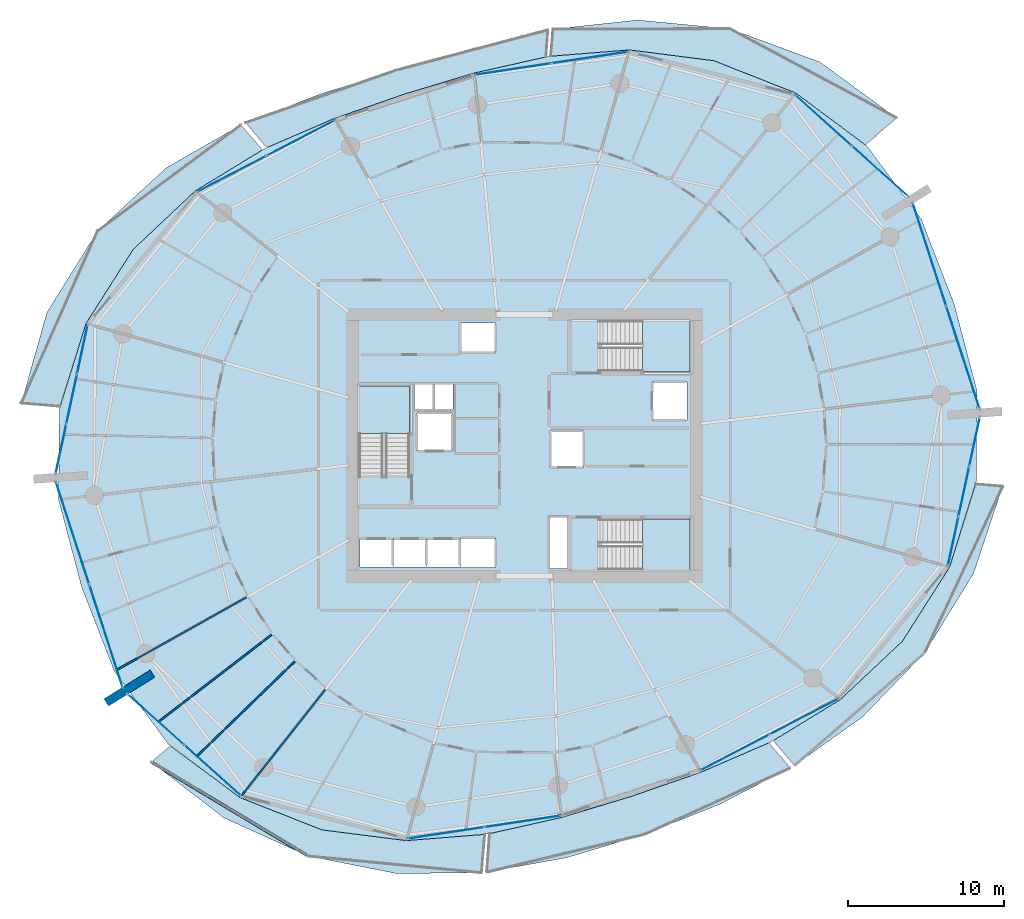
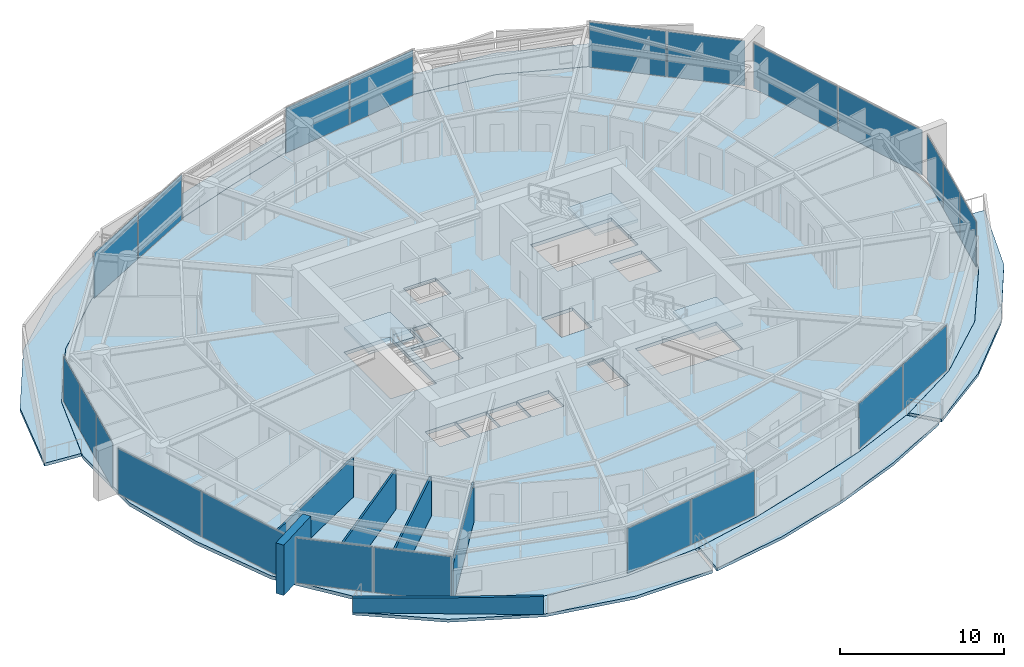
# One storey, part 10 of 23: 22 plates, 10 slabs, 6 walls, 13 elements without a shape of their own.
"""IFC4 building model written with IfcOpenShell, lengths in metres."""

from ifc_helpers import new_model, si_unit, direction, frame, frame_2d, origin, origin_2d, place, context, subcontext, project, spatial, polyline, rectangle, outline, extrude, material, layer, layer_set, type_object, element, aggregate, save


model = new_model("IFC4")

# Units and contexts
model_context = context("Model", 3, precision=1e-05, world=origin(), true_north=direction((0.0, 1.0)))
body_context = subcontext(model_context, "Body", "Model", "MODEL_VIEW")
ifc_project = project(units=[si_unit("LENGTHUNIT", "METRE"), si_unit("AREAUNIT", "SQUARE_METRE"), si_unit("VOLUMEUNIT", "CUBIC_METRE"), si_unit("PLANEANGLEUNIT", "RADIAN"), si_unit("MASSUNIT", "GRAM", prefix="KILO")], contexts=[model_context])

# Site, building, storey
site_placement = place(None, origin())
site = spatial("IfcSite", under=ifc_project, at=site_placement, CompositionType="ELEMENT")
building_placement = place(site_placement, origin())
building = spatial("IfcBuilding", under=site, at=building_placement, Name="Kazma Halo Residences", CompositionType="ELEMENT")
storey_placement = place(building_placement, frame((0.0, 0.0, 105.14990234375)))
storey = spatial("IfcBuildingStorey", under=building, at=storey_placement, Name="L26", CompositionType="ELEMENT", Elevation=105.14990234375)

# Curtain wall, plates
ifc_material_1 = material(Name="Aluminium AW-6063 T6 and Triple-Silver Low-E Glass", Category="aluminium")
ifc_layer_1 = layer(ifc_material_1, 0.199951171875)
ifc_layer_set_1 = layer_set([ifc_layer_1], Name="Aluminium AW-6063 T6 and Triple-Silver Low-E Glass")
curtain_wall_type = type_object("IfcCurtainWallType", Name="CW-SYS-3", PredefinedType="NOTDEFINED", material=ifc_layer_set_1)
curtain_wall_1_placement = place(storey_placement, origin())
curtain_wall_1 = element("IfcCurtainWall", 1, at=curtain_wall_1_placement, inside=storey, type_object=curtain_wall_type, Name="L26 unitised curtain wall B01", PredefinedType="NOTDEFINED")
ifc_material_2 = material(Name="Clear Triple-Silver Low-E Glass IGU", Category="glass")
ifc_layer_2 = layer(ifc_material_2, 0.030029296875)
ifc_layer_set_2 = layer_set([ifc_layer_2], Name="Clear Triple-Silver Low-E Glass IGU")
plate_type = type_object("IfcPlateType", Name="CW-SYS-3-PNL", PredefinedType="CURTAIN_PANEL", material=ifc_layer_set_2)
plate_1_placement = place(storey_placement, frame((71.251220703125, 59.614013671875, 0.06982421875), z_axis=(0.0, 0.0, 1.0), x_axis=(-0.744345279359, 0.667794957375, 0.0)))
plate_1 = element("IfcPlate", 2, at=plate_1_placement, type_object=plate_type, Name="CWS-3 panel 1.1", PredefinedType="CURTAIN_PANEL", context=body_context, shape_type="SweptSolid", body=[
    extrude(rectangle(XDim=4.81982421875, YDim=0.030029296875, at=origin_2d()), origin(), (0.0, 0.0, 1.0), 3.360107421875),
])
plate_2_placement = place(storey_placement, frame((67.611572265625, 62.87939453125, 0.06982421875), z_axis=(0.0, 0.0, 1.0), x_axis=(-0.744345279359, 0.667794957375, 0.0)))
plate_2 = element("IfcPlate", 3, at=plate_2_placement, type_object=plate_type, Name="CWS-3 panel 2.1", PredefinedType="CURTAIN_PANEL", context=body_context, shape_type="SweptSolid", body=[
    extrude(rectangle(XDim=4.81982421875, YDim=0.030029296875, at=origin_2d()), origin(), (0.0, 0.0, 1.0), 3.360107421875),
])
aggregate(curtain_wall_1, [plate_1, plate_2])

curtain_wall_2_placement = place(storey_placement, origin())
curtain_wall_2 = element("IfcCurtainWall", 4, at=curtain_wall_2_placement, inside=storey, type_object=curtain_wall_type, Name="L26 unitised curtain wall B03", PredefinedType="NOTDEFINED")
plate_3_placement = place(storey_placement, frame((52.625732421875, 66.900390625, 0.06982421875), z_axis=(0.0, 0.0, 1.0), x_axis=(-0.988879747814, -0.148717330409, 0.0)))
plate_3 = element("IfcPlate", 5, at=plate_3_placement, type_object=plate_type, Name="CWS-3 panel 1.1", PredefinedType="CURTAIN_PANEL", context=body_context, shape_type="SweptSolid", body=[
    extrude(rectangle(XDim=4.922607421875, YDim=0.030029296875, at=origin_2d()), origin(), (0.0, 0.0, 1.0), 3.360107421875),
])
plate_4_placement = place(storey_placement, frame((47.6884765625, 66.157958984375, 0.06982421875), z_axis=(0.0, 0.0, 1.0), x_axis=(-0.988879747814, -0.148717330409, 0.0)))
plate_4 = element("IfcPlate", 6, at=plate_4_placement, type_object=plate_type, Name="CWS-3 panel 2.1", PredefinedType="CURTAIN_PANEL", context=body_context, shape_type="SweptSolid", body=[
    extrude(rectangle(XDim=4.922607421875, YDim=0.030029296875, at=origin_2d()), origin(), (0.0, 0.0, 1.0), 3.360107421875),
])
aggregate(curtain_wall_2, [plate_3, plate_4])

curtain_wall_3_placement = place(storey_placement, origin())
curtain_wall_3 = element("IfcCurtainWall", 7, at=curtain_wall_3_placement, inside=storey, type_object=curtain_wall_type, Name="L26 unitised curtain wall B05", PredefinedType="NOTDEFINED")
plate_5_placement = place(storey_placement, frame((34.052490234375, 61.727294921875, 0.06982421875), z_axis=(0.0, 0.0, 1.0), x_axis=(-0.887435374749, -0.460932159481, 0.0)))
plate_5 = element("IfcPlate", 8, at=plate_5_placement, type_object=plate_type, Name="CWS-3 panel 1.1", PredefinedType="CURTAIN_PANEL", context=body_context, shape_type="SweptSolid", body=[
    extrude(rectangle(XDim=4.9228515625, YDim=0.030029296875, at=origin_2d()), origin(), (0.0, 0.0, 1.0), 3.360107421875),
])
plate_6_placement = place(storey_placement, frame((29.62158203125, 59.426025390625, 0.06982421875), z_axis=(0.0, 0.0, 1.0), x_axis=(-0.887435374749, -0.460932159481, 0.0)))
plate_6 = element("IfcPlate", 9, at=plate_6_placement, type_object=plate_type, Name="CWS-3 panel 2.1", PredefinedType="CURTAIN_PANEL", context=body_context, shape_type="SweptSolid", body=[
    extrude(rectangle(XDim=4.9228515625, YDim=0.030029296875, at=origin_2d()), origin(), (0.0, 0.0, 1.0), 3.360107421875),
])
aggregate(curtain_wall_3, [plate_5, plate_6])

curtain_wall_4_placement = place(storey_placement, origin())
curtain_wall_4 = element("IfcCurtainWall", 10, at=curtain_wall_4_placement, inside=storey, type_object=curtain_wall_type, Name="L26 unitised curtain wall B07", PredefinedType="NOTDEFINED")
plate_7_placement = place(storey_placement, frame((20.033447265625, 48.1669921875, 0.06982421875), z_axis=(0.0, 0.0, 1.0), x_axis=(-0.209660822677, -0.977774176093, 0.0)))
plate_7 = element("IfcPlate", 11, at=plate_7_placement, type_object=plate_type, Name="CWS-3 panel 1.1", PredefinedType="CURTAIN_PANEL", context=body_context, shape_type="SweptSolid", body=[
    extrude(rectangle(XDim=3.17822265625, YDim=0.030029296875, at=origin_2d()), origin(), (0.0, 0.0, 1.0), 3.360107421875),
])
plate_8_placement = place(storey_placement, frame((19.3486328125, 44.973876953125, 0.06982421875), z_axis=(0.0, 0.0, 1.0), x_axis=(-0.209660822677, -0.977774176093, 0.0)))
plate_8 = element("IfcPlate", 12, at=plate_8_placement, type_object=plate_type, Name="CWS-3 panel 2.1", PredefinedType="CURTAIN_PANEL", context=body_context, shape_type="SweptSolid", body=[
    extrude(rectangle(XDim=3.213134765625, YDim=0.030029296875, at=origin_2d()), origin(), (0.0, 0.0, 1.0), 3.360107421875),
])
plate_9_placement = place(storey_placement, frame((18.6640625, 41.78076171875, 0.06982421875), z_axis=(0.0, 0.0, 1.0), x_axis=(-0.209660822677, -0.977774176093, 0.0)))
plate_9 = element("IfcPlate", 13, at=plate_9_placement, type_object=plate_type, Name="CWS-3 panel 3.1", PredefinedType="CURTAIN_PANEL", context=body_context, shape_type="SweptSolid", body=[
    extrude(rectangle(XDim=3.17822265625, YDim=0.030029296875, at=origin_2d()), origin(), (0.0, 0.0, 1.0), 3.360107421875),
])
aggregate(curtain_wall_4, [plate_7, plate_8, plate_9])

curtain_wall_5_placement = place(storey_placement, origin())
curtain_wall_5 = element("IfcCurtainWall", 14, at=curtain_wall_5_placement, inside=storey, type_object=curtain_wall_type, Name="L26 unitised curtain wall B08", PredefinedType="NOTDEFINED")
plate_10_placement = place(storey_placement, frame((19.40673828125, 36.357421875, 0.06982421875), z_axis=(0.0, 0.0, 1.0), x_axis=(0.309013282008, -0.951057722508, 0.0)))
plate_10 = element("IfcPlate", 15, at=plate_10_placement, type_object=plate_type, Name="CWS-3 panel 1.1", PredefinedType="CURTAIN_PANEL", context=body_context, shape_type="SweptSolid", body=[
    extrude(rectangle(XDim=6.868896484375, YDim=0.030029296875, at=origin_2d()), origin(), (0.0, 0.0, 1.0), 3.360107421875),
])
plate_11_placement = place(storey_placement, frame((21.551025390625, 29.758056640625, 0.06982421875), z_axis=(0.0, 0.0, 1.0), x_axis=(0.309013282008, -0.951057722508, 0.0)))
plate_11 = element("IfcPlate", 16, at=plate_11_placement, type_object=plate_type, Name="CWS-3 panel 2.1", PredefinedType="CURTAIN_PANEL", context=body_context, shape_type="SweptSolid", body=[
    extrude(rectangle(XDim=6.868896484375, YDim=0.030029296875, at=origin_2d()), origin(), (0.0, 0.0, 1.0), 3.360107421875),
])
aggregate(curtain_wall_5, [plate_10, plate_11])

curtain_wall_6_placement = place(storey_placement, origin())
curtain_wall_6 = element("IfcCurtainWall", 17, at=curtain_wall_6_placement, inside=storey, type_object=curtain_wall_type, Name="L26 unitised curtain wall B09", PredefinedType="NOTDEFINED")
plate_12_placement = place(storey_placement, frame((24.748779296875, 24.385986328125, 0.06982421875), z_axis=(0.0, 0.0, 1.0), x_axis=(0.744345279359, -0.667794957375, 0.0)))
plate_12 = element("IfcPlate", 18, at=plate_12_placement, type_object=plate_type, Name="CWS-3 panel 1.1", PredefinedType="CURTAIN_PANEL", context=body_context, shape_type="SweptSolid", body=[
    extrude(rectangle(XDim=4.81982421875, YDim=0.030029296875, at=origin_2d()), origin(), (0.0, 0.0, 1.0), 3.360107421875),
])
plate_13_placement = place(storey_placement, frame((28.388427734375, 21.12060546875, 0.06982421875), z_axis=(0.0, 0.0, 1.0), x_axis=(0.744345279359, -0.667794957375, 0.0)))
plate_13 = element("IfcPlate", 19, at=plate_13_placement, type_object=plate_type, Name="CWS-3 panel 2.1", PredefinedType="CURTAIN_PANEL", context=body_context, shape_type="SweptSolid", body=[
    extrude(rectangle(XDim=4.81982421875, YDim=0.030029296875, at=origin_2d()), origin(), (0.0, 0.0, 1.0), 3.360107421875),
])
aggregate(curtain_wall_6, [plate_12, plate_13])

curtain_wall_7_placement = place(storey_placement, origin())
curtain_wall_7 = element("IfcCurtainWall", 20, at=curtain_wall_7_placement, inside=storey, type_object=curtain_wall_type, Name="L26 unitised curtain wall B11", PredefinedType="NOTDEFINED")
plate_14_placement = place(storey_placement, frame((43.374267578125, 17.099609375, 0.06982421875), z_axis=(0.0, 0.0, 1.0), x_axis=(0.988879747814, 0.148717330409, 0.0)))
plate_14 = element("IfcPlate", 21, at=plate_14_placement, type_object=plate_type, Name="CWS-3 panel 1.1", PredefinedType="CURTAIN_PANEL", context=body_context, shape_type="SweptSolid", body=[
    extrude(rectangle(XDim=4.922607421875, YDim=0.030029296875, at=origin_2d()), origin(), (0.0, 0.0, 1.0), 3.360107421875),
])
plate_15_placement = place(storey_placement, frame((48.3115234375, 17.842041015625, 0.06982421875), z_axis=(0.0, 0.0, 1.0), x_axis=(0.988879747814, 0.148717330409, 0.0)))
plate_15 = element("IfcPlate", 22, at=plate_15_placement, type_object=plate_type, Name="CWS-3 panel 2.1", PredefinedType="CURTAIN_PANEL", context=body_context, shape_type="SweptSolid", body=[
    extrude(rectangle(XDim=4.922607421875, YDim=0.030029296875, at=origin_2d()), origin(), (0.0, 0.0, 1.0), 3.360107421875),
])
aggregate(curtain_wall_7, [plate_14, plate_15])

curtain_wall_8_placement = place(storey_placement, origin())
curtain_wall_8 = element("IfcCurtainWall", 23, at=curtain_wall_8_placement, inside=storey, type_object=curtain_wall_type, Name="L26 unitised curtain wall B13", PredefinedType="NOTDEFINED")
plate_16_placement = place(storey_placement, frame((61.947509765625, 22.272705078125, 0.06982421875), z_axis=(0.0, 0.0, 1.0), x_axis=(0.887435374749, 0.460932159481, 0.0)))
plate_16 = element("IfcPlate", 24, at=plate_16_placement, type_object=plate_type, Name="CWS-3 panel 1.1", PredefinedType="CURTAIN_PANEL", context=body_context, shape_type="SweptSolid", body=[
    extrude(rectangle(XDim=4.9228515625, YDim=0.030029296875, at=origin_2d()), origin(), (0.0, 0.0, 1.0), 3.360107421875),
])
plate_17_placement = place(storey_placement, frame((66.37841796875, 24.573974609375, 0.06982421875), z_axis=(0.0, 0.0, 1.0), x_axis=(0.887435374749, 0.460932159481, 0.0)))
plate_17 = element("IfcPlate", 25, at=plate_17_placement, type_object=plate_type, Name="CWS-3 panel 2.1", PredefinedType="CURTAIN_PANEL", context=body_context, shape_type="SweptSolid", body=[
    extrude(rectangle(XDim=4.9228515625, YDim=0.030029296875, at=origin_2d()), origin(), (0.0, 0.0, 1.0), 3.360107421875),
])
aggregate(curtain_wall_8, [plate_16, plate_17])

curtain_wall_9_placement = place(storey_placement, origin())
curtain_wall_9 = element("IfcCurtainWall", 26, at=curtain_wall_9_placement, inside=storey, type_object=curtain_wall_type, Name="L26 unitised curtain wall B15", PredefinedType="NOTDEFINED")
plate_18_placement = place(storey_placement, frame((75.966552734375, 35.8330078125, 0.06982421875), z_axis=(0.0, 0.0, 1.0), x_axis=(0.209660822677, 0.977774176093, 0.0)))
plate_18 = element("IfcPlate", 27, at=plate_18_placement, type_object=plate_type, Name="CWS-3 panel 1.1", PredefinedType="CURTAIN_PANEL", context=body_context, shape_type="SweptSolid", body=[
    extrude(rectangle(XDim=3.17822265625, YDim=0.030029296875, at=origin_2d()), origin(), (0.0, 0.0, 1.0), 3.360107421875),
])
plate_19_placement = place(storey_placement, frame((76.6513671875, 39.026123046875, 0.06982421875), z_axis=(0.0, 0.0, 1.0), x_axis=(0.209660822677, 0.977774176093, 0.0)))
plate_19 = element("IfcPlate", 28, at=plate_19_placement, type_object=plate_type, Name="CWS-3 panel 2.1", PredefinedType="CURTAIN_PANEL", context=body_context, shape_type="SweptSolid", body=[
    extrude(rectangle(XDim=3.213134765625, YDim=0.030029296875, at=origin_2d()), origin(), (0.0, 0.0, 1.0), 3.360107421875),
])
plate_20_placement = place(storey_placement, frame((77.3359375, 42.21923828125, 0.06982421875), z_axis=(0.0, 0.0, 1.0), x_axis=(0.209660822677, 0.977774176093, 0.0)))
plate_20 = element("IfcPlate", 29, at=plate_20_placement, type_object=plate_type, Name="CWS-3 panel 3.1", PredefinedType="CURTAIN_PANEL", context=body_context, shape_type="SweptSolid", body=[
    extrude(rectangle(XDim=3.17822265625, YDim=0.030029296875, at=origin_2d()), origin(), (0.0, 0.0, 1.0), 3.360107421875),
])
aggregate(curtain_wall_9, [plate_18, plate_19, plate_20])

curtain_wall_10_placement = place(storey_placement, origin())
curtain_wall_10 = element("IfcCurtainWall", 30, at=curtain_wall_10_placement, inside=storey, type_object=curtain_wall_type, Name="L26 unitised curtain wall B16", PredefinedType="NOTDEFINED")
plate_21_placement = place(storey_placement, frame((76.59326171875, 47.642578125, 0.06982421875), z_axis=(0.0, 0.0, 1.0), x_axis=(-0.309013282008, 0.951057722508, 0.0)))
plate_21 = element("IfcPlate", 31, at=plate_21_placement, type_object=plate_type, Name="CWS-3 panel 1.1", PredefinedType="CURTAIN_PANEL", context=body_context, shape_type="SweptSolid", body=[
    extrude(rectangle(XDim=6.868896484375, YDim=0.030029296875, at=origin_2d()), origin(), (0.0, 0.0, 1.0), 3.360107421875),
])
plate_22_placement = place(storey_placement, frame((74.448974609375, 54.241943359375, 0.06982421875), z_axis=(0.0, 0.0, 1.0), x_axis=(-0.309013282008, 0.951057722508, 0.0)))
plate_22 = element("IfcPlate", 32, at=plate_22_placement, type_object=plate_type, Name="CWS-3 panel 2.1", PredefinedType="CURTAIN_PANEL", context=body_context, shape_type="SweptSolid", body=[
    extrude(rectangle(XDim=6.868896484375, YDim=0.030029296875, at=origin_2d()), origin(), (0.0, 0.0, 1.0), 3.360107421875),
])
aggregate(curtain_wall_10, [plate_21, plate_22])

# Slabs
ifc_material_3 = material(Name="White Concrete C50/60", Category="concrete")
ifc_layer_3 = layer(ifc_material_3, 0.219970703125)
ifc_layer_set_3 = layer_set([ifc_layer_3], Name="White Concrete C50/60")
slab_type_1 = type_object("IfcSlabType", Name="SLB-BAL-WAVE-210", PredefinedType="FLOOR", material=ifc_layer_set_3)
slab_1_placement = place(storey_placement, frame((0.0, 0.0, -0.219970703125)))
element("IfcSlab", 33, at=slab_1_placement, inside=storey, type_object=slab_type_1, Name="L26 NE cantilevered wave balcony slab", PredefinedType="FLOOR", context=body_context, shape_type="SweptSolid", body=[
    extrude(outline(polyline([(70.323974609375, 61.303466796875), (65.841064453125, 64.63134765625), (60.5869140625, 66.702880859375), (55.161865234375, 67.394287109375), (50.12060546875, 66.992431640625), (50.2685546875, 68.735107421875), (55.703857421875, 69.31591796875), (61.629638671875, 68.74951171875), (67.40771484375, 66.618408203125), (72.32080078125, 63.0302734375), (70.323974609375, 61.303466796875)])), origin(), (0.0, 0.0, 1.0), 0.219970703125),
])
slab_2_placement = place(storey_placement, frame((0.0, 0.0, -0.219970703125)))
element("IfcSlab", 34, at=slab_2_placement, inside=storey, type_object=slab_type_1, Name="L26 NNW cantilevered wave balcony slab", PredefinedType="FLOOR", context=body_context, shape_type="SweptSolid", body=[
    extrude(outline(polyline([(49.81005859375, 66.94580078125), (45.1708984375, 65.902587890625), (40.675048828125, 64.544189453125), (36.239013671875, 63.00048828125), (31.872802734375, 61.11767578125), (30.521728515625, 62.719482421875), (35.355224609375, 64.5791015625), (40.175048828125, 66.08251953125), (44.984375, 67.4794921875), (49.935302734375, 68.672119140625), (49.81005859375, 66.94580078125)])), origin(), (0.0, 0.0, 1.0), 0.219970703125),
])
slab_3_placement = place(storey_placement, frame((0.0, 0.0, -0.219970703125)))
element("IfcSlab", 35, at=slab_3_placement, inside=storey, type_object=slab_type_1, Name="L26 NW cantilevered wave balcony slab", PredefinedType="FLOOR", context=body_context, shape_type="SweptSolid", body=[
    extrude(outline(polyline([(31.59423828125, 60.972900390625), (27.279541015625, 58.334716796875), (23.297119140625, 54.5869140625), (20.263916015625, 49.822509765625), (18.59326171875, 44.4951171875), (16.107666015625, 44.7060546875), (17.75390625, 50.5302734375), (20.999755859375, 55.75732421875), (25.405029296875, 59.8125), (30.2080078125, 62.575927734375), (31.59423828125, 60.972900390625)])), origin(), (0.0, 0.0, 1.0), 0.219970703125),
])
slab_4_placement = place(storey_placement, frame((0.0, 0.0, -0.219970703125)))
element("IfcSlab", 36, at=slab_4_placement, inside=storey, type_object=slab_type_1, Name="L26 SW cantilevered wave balcony slab", PredefinedType="FLOOR", context=body_context, shape_type="SweptSolid", body=[
    extrude(outline(polyline([(25.676025390625, 22.696533203125), (30.158935546875, 19.36865234375), (35.4130859375, 17.297119140625), (40.838134765625, 16.605712890625), (45.87939453125, 17.007568359375), (45.67041015625, 14.545654296875), (40.240966796875, 14.48876953125), (34.551025390625, 15.60498046875), (29.127685546875, 18.060546875), (24.465576171875, 21.64990234375), (25.676025390625, 22.696533203125)])), origin(), (0.0, 0.0, 1.0), 0.219970703125),
])
slab_5_placement = place(storey_placement, frame((0.0, 0.0, -0.219970703125)))
element("IfcSlab", 37, at=slab_5_placement, inside=storey, type_object=slab_type_1, Name="L26 SSE cantilevered wave balcony slab", PredefinedType="FLOOR", context=body_context, shape_type="SweptSolid", body=[
    extrude(outline(polyline([(46.18994140625, 17.05419921875), (50.8291015625, 18.097412109375), (55.324951171875, 19.455810546875), (59.760986328125, 20.99951171875), (64.127197265625, 22.88232421875), (65.490478515625, 21.26611328125), (60.927001953125, 18.9169921875), (56.121826171875, 17.003662109375), (51.135498046875, 15.50732421875), (46.010498046875, 14.581298828125), (46.18994140625, 17.05419921875)])), origin(), (0.0, 0.0, 1.0), 0.219970703125),
])
slab_6_placement = place(storey_placement, frame((0.0, 0.0, -0.219970703125)))
element("IfcSlab", 38, at=slab_6_placement, inside=storey, type_object=slab_type_1, Name="L26 SE cantilevered wave balcony slab", PredefinedType="FLOOR", context=body_context, shape_type="SweptSolid", body=[
    extrude(outline(polyline([(64.40576171875, 23.027099609375), (68.720458984375, 25.665283203125), (72.702880859375, 29.4130859375), (75.736083984375, 34.177490234375), (77.40673828125, 39.5048828125), (79.146240234375, 39.357177734375), (77.264404296875, 33.74658203125), (74.144287109375, 28.678955078125), (70.141357421875, 24.545166015625), (65.779541015625, 21.4384765625), (64.40576171875, 23.027099609375)])), origin(), (0.0, 0.0, 1.0), 0.219970703125),
])
ifc_material_4 = material(Name="Concrete C50/60", Category="concrete")
ifc_layer_4 = layer(ifc_material_4, 0.25)
ifc_layer_set_4 = layer_set([ifc_layer_4], Name="Concrete C50/60")
slab_type_2 = type_object("IfcSlabType", Name="SLB-RES-250", PredefinedType="FLOOR", material=ifc_layer_set_4)
slab_7_placement = place(storey_placement, frame((0.0, 0.0, -0.25)))
element("IfcSlab", 39, at=slab_7_placement, inside=storey, type_object=slab_type_2, Name="L26 structural floor slab", PredefinedType="FLOOR", context=body_context, shape_type="SweptSolid", body=[
    extrude(outline(polyline([(76.02001953125, 51.104248046875), (73.918212890625, 56.514892578125), (70.459716796875, 61.182373046875), (65.83984375, 64.629638671875), (60.5859375, 66.701171875), (55.161376953125, 67.392333984375), (49.9658203125, 66.976806640625), (45.171142578125, 65.900634765625), (40.675537109375, 64.542236328125), (36.239990234375, 62.998779296875), (31.728759765625, 61.05126953125), (27.281005859375, 58.33349609375), (23.298828125, 54.5859375), (20.265869140625, 49.82177734375), (18.554443359375, 44.3173828125), (18.500244140625, 38.508544921875), (19.97998046875, 32.895751953125), (22.081787109375, 27.485107421875), (25.540283203125, 22.817626953125), (30.16015625, 19.370361328125), (35.4140625, 17.298828125), (40.838623046875, 16.607666015625), (46.0341796875, 17.023193359375), (50.828857421875, 18.099365234375), (55.324462890625, 19.457763671875), (59.760009765625, 21.001220703125), (64.271240234375, 22.94873046875), (68.718994140625, 25.66650390625), (72.701171875, 29.4140625), (75.734130859375, 34.17822265625), (77.445556640625, 39.6826171875), (77.499755859375, 45.491455078125), (76.02001953125, 51.104248046875)]), holes=[polyline([(37.800048828125, 40.110107421875), (41.050048828125, 40.110107421875), (41.050048828125, 45.800048828125), (37.800048828125, 45.800048828125), (37.800048828125, 40.110107421875)]), polyline([(53.360107421875, 46.75), (59.050048828125, 46.75), (59.050048828125, 50.0), (53.360107421875, 50.0), (53.360107421875, 46.75)]), polyline([(53.360107421875, 34.0), (59.050048828125, 34.0), (59.050048828125, 37.25), (53.360107421875, 37.25), (53.360107421875, 34.0)]), polyline([(41.52001953125, 41.6201171875), (43.780029296875, 41.6201171875), (43.780029296875, 44.080078125), (41.52001953125, 44.080078125), (41.52001953125, 41.6201171875)]), polyline([(56.6201171875, 43.6201171875), (58.8798828125, 43.6201171875), (58.8798828125, 46.080078125), (56.6201171875, 46.080078125), (56.6201171875, 43.6201171875)]), polyline([(37.864990234375, 34.195068359375), (39.97509765625, 34.195068359375), (39.97509765625, 36.0048828125), (37.864990234375, 36.0048828125), (37.864990234375, 34.195068359375)]), polyline([(40.014892578125, 34.195068359375), (42.125, 34.195068359375), (42.125, 36.0048828125), (40.014892578125, 36.0048828125), (40.014892578125, 34.195068359375)]), polyline([(42.1650390625, 34.195068359375), (44.27490234375, 34.195068359375), (44.27490234375, 36.0048828125), (42.1650390625, 36.0048828125), (42.1650390625, 34.195068359375)]), polyline([(44.320068359375, 47.945068359375), (46.580078125, 47.945068359375), (46.580078125, 49.85498046875), (44.320068359375, 49.85498046875), (44.320068359375, 47.945068359375)]), polyline([(44.320068359375, 34.14501953125), (46.580078125, 34.14501953125), (46.580078125, 36.054931640625), (44.320068359375, 36.054931640625), (44.320068359375, 34.14501953125)]), polyline([(50.070068359375, 40.570068359375), (52.22998046875, 40.570068359375), (52.22998046875, 42.929931640625), (50.070068359375, 42.929931640625), (50.070068359375, 40.570068359375)]), polyline([(41.360107421875, 44.340087890625), (42.5400390625, 44.340087890625), (42.5400390625, 45.89990234375), (41.360107421875, 45.89990234375), (41.360107421875, 44.340087890625)]), polyline([(42.659912109375, 44.340087890625), (43.840087890625, 44.340087890625), (43.840087890625, 45.89990234375), (42.659912109375, 45.89990234375), (42.659912109375, 44.340087890625)]), polyline([(50.06005859375, 34.080078125), (51.159912109375, 34.080078125), (51.159912109375, 37.3798828125), (50.06005859375, 37.3798828125), (50.06005859375, 34.080078125)])]), origin(), (0.0, 0.0, 1.0), 0.25),
])

# Stair, slab
stair_type = type_object("IfcStairType", Name="STR-RES1", PredefinedType="HALF_TURN_STAIR", material=ifc_material_4)
stair_1_placement = place(storey_placement, origin())
stair_1 = element("IfcStair", 40, at=stair_1_placement, inside=storey, type_object=stair_type, Name="L26 Core exit stair ST-01", PredefinedType="HALF_TURN_STAIR")
ifc_layer_5 = layer(ifc_material_4, 0.199951171875)
ifc_layer_set_5 = layer_set([ifc_layer_5], Name="Concrete C50/60")
slab_type_3 = type_object("IfcSlabType", Name="SLB-STAIR-LND-200", PredefinedType="LANDING", material=ifc_layer_set_5)
slab_8_placement = place(storey_placement, frame((0.0, 0.0, 1.675048828125)))
slab_8 = element("IfcSlab", 41, at=slab_8_placement, type_object=slab_type_3, Name="ST-01 landing 1", PredefinedType="LANDING", context=body_context, shape_type="SweptSolid", body=[
    extrude(outline(polyline([(41.050048828125, 42.75), (41.050048828125, 45.800048828125), (37.800048828125, 45.800048828125), (37.800048828125, 42.75), (41.050048828125, 42.75)])), origin(), (0.0, 0.0, 1.0), 0.199951171875),
])
aggregate(stair_1, [slab_8])

stair_2_placement = place(storey_placement, origin())
stair_2 = element("IfcStair", 42, at=stair_2_placement, inside=storey, type_object=stair_type, Name="L26 Core exit stair ST-02", PredefinedType="HALF_TURN_STAIR")
slab_9_placement = place(storey_placement, frame((0.0, 0.0, 1.675048828125)))
slab_9 = element("IfcSlab", 43, at=slab_9_placement, type_object=slab_type_3, Name="ST-02 landing 1", PredefinedType="LANDING", context=body_context, shape_type="SweptSolid", body=[
    extrude(outline(polyline([(56.0, 46.75), (59.050048828125, 46.75), (59.050048828125, 50.0), (56.0, 50.0), (56.0, 46.75)])), origin(), (0.0, 0.0, 1.0), 0.199951171875),
])
aggregate(stair_2, [slab_9])

stair_3_placement = place(storey_placement, origin())
stair_3 = element("IfcStair", 44, at=stair_3_placement, inside=storey, type_object=stair_type, Name="L26 Core exit stair ST-03", PredefinedType="HALF_TURN_STAIR")
slab_10_placement = place(storey_placement, frame((0.0, 0.0, 1.675048828125)))
slab_10 = element("IfcSlab", 45, at=slab_10_placement, type_object=slab_type_3, Name="ST-03 landing 1", PredefinedType="LANDING", context=body_context, shape_type="SweptSolid", body=[
    extrude(outline(polyline([(56.0, 34.0), (59.050048828125, 34.0), (59.050048828125, 37.25), (56.0, 37.25), (56.0, 34.0)])), origin(), (0.0, 0.0, 1.0), 0.199951171875),
])
aggregate(stair_3, [slab_10])

# Walls
ifc_material_5 = material(Name="White Concrete C50/60 Balustrade", Category="concrete")
ifc_layer_6 = layer(ifc_material_5, 0.179931640625)
ifc_layer_set_6 = layer_set([ifc_layer_6], Name="White Concrete C50/60 Balustrade")
wall_type_1 = type_object("IfcWallType", Name="WL-BAL-WAVE-180", PredefinedType="PARAPET", material=ifc_layer_set_6)
wall_1_placement = place(storey_placement, frame((24.465576171875, 21.64990234375, 0.0), z_axis=(0.0, 0.0, 1.0), x_axis=(0.857737151829, -0.514088492745, 0.0)))
element("IfcWall", 46, at=wall_1_placement, inside=storey, type_object=wall_type_1, Name="L26 white wave balustrade wall SW.1", PredefinedType="PARAPET", context=body_context, shape_type="SweptSolid", body=[
    extrude(outline(polyline([(0.0, 0.0), (11.638427734375, 0.0), (11.63818359375, 1.34814453125), (5.819091796875, 1.18212890625), (0.0, 1.1201171875), (0.0, 0.0)])), frame((0.0, 0.08984375, 0.0), z_axis=(0.0, -1.0, 0.0), x_axis=(1.0, 0.0, 0.0)), (0.0, 0.0, 1.0), 0.179931640625),
])
ifc_material_6 = material(Name="Pale Concrete C60/75", Category="concrete")
ifc_layer_7 = layer(ifc_material_6, 0.550048828125)
ifc_layer_set_7 = layer_set([ifc_layer_7], Name="Pale Concrete C60/75")
wall_type_2 = type_object("IfcWallType", Name="WL-BLADE-550", PredefinedType="SOLIDWALL", material=ifc_layer_set_7)
wall_2_placement = place(storey_placement, frame((24.531494140625, 27.335205078125, 0.0), z_axis=(0.0, 0.0, 1.0), x_axis=(-0.848053161125, -0.529911158502, 0.0)))
element("IfcWall", 47, at=wall_2_placement, inside=storey, type_object=wall_type_2, Name="L26 pale concrete structural blade fin wall BW-03", PredefinedType="SOLIDWALL", context=body_context, shape_type="SweptSolid", body=[
    extrude(rectangle(XDim=3.5, YDim=0.550048828125, at=frame_2d((1.75, 0.0))), origin(), (0.0, 0.0, 1.0), 3.75),
])
ifc_material_7 = material(Name="Gypsum Plasterboard Partition")
ifc_layer_8 = layer(ifc_material_7, 0.125)
ifc_layer_set_8 = layer_set([ifc_layer_8], Name="Gypsum Plasterboard Partition")
wall_type_3 = type_object("IfcWallType", Name="WL-PART-125", PredefinedType="PARTITIONING", material=ifc_layer_set_8)
wall_3_placement = place(storey_placement, frame((30.57470703125, 32.2412109375, 0.0), z_axis=(0.0, 0.0, 1.0), x_axis=(-0.872502512898, -0.488609624328, 0.0)))
element("IfcWall", 48, at=wall_3_placement, inside=storey, type_object=wall_type_3, Name="L26 Apartment 2 radial partition 8", PredefinedType="PARTITIONING", context=body_context, shape_type="SweptSolid", body=[
    extrude(rectangle(XDim=9.507568359375, YDim=0.125, at=frame_2d((4.75390625, 0.0))), origin(), (0.0, 0.0, 1.0), 2.940185546875),
])
wall_4_placement = place(storey_placement, frame((32.178955078125, 29.8271484375, 0.0), z_axis=(0.0, 0.0, 1.0), x_axis=(-0.792545547833, -0.609812720932, 0.0)))
element("IfcWall", 49, at=wall_4_placement, inside=storey, type_object=wall_type_3, Name="L26 Apartment 2 bay wall 1 8", PredefinedType="PARTITIONING", context=body_context, shape_type="SweptSolid", body=[
    extrude(rectangle(XDim=9.141357421875, YDim=0.125, at=frame_2d((4.57080078125, 0.0))), origin(), (0.0, 0.0, 1.0), 2.940185546875),
])
wall_5_placement = place(storey_placement, frame((33.664794921875, 28.108154296875, 0.0), z_axis=(0.0, 0.0, 1.0), x_axis=(-0.718119545748, -0.695919764064, 0.0)))
element("IfcWall", 50, at=wall_5_placement, inside=storey, type_object=wall_type_3, Name="L26 Apartment 2 bay wall 2 8", PredefinedType="PARTITIONING", context=body_context, shape_type="SweptSolid", body=[
    extrude(rectangle(XDim=8.720947265625, YDim=0.125, at=frame_2d((4.3603515625, 0.0))), origin(), (0.0, 0.0, 1.0), 2.940185546875),
])
wall_6_placement = place(storey_placement, frame((35.635498046875, 26.315673828125, 0.0), z_axis=(0.0, 0.0, 1.0), x_axis=(-0.619089966413, -0.785320070727, 0.0)))
element("IfcWall", 51, at=wall_6_placement, inside=storey, type_object=wall_type_3, Name="L26 Apartment 2 radial partition 9", PredefinedType="PARTITIONING", context=body_context, shape_type="SweptSolid", body=[
    extrude(rectangle(XDim=8.698974609375, YDim=0.125, at=frame_2d((4.349609375, 0.0))), origin(), (0.0, 0.0, 1.0), 2.940185546875),
])

save(model, "model.ifc")
